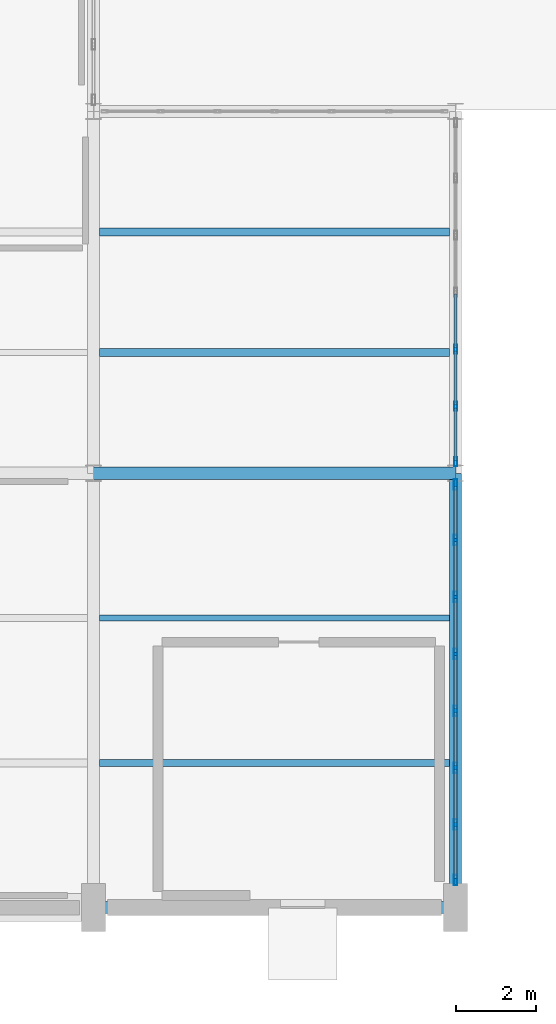
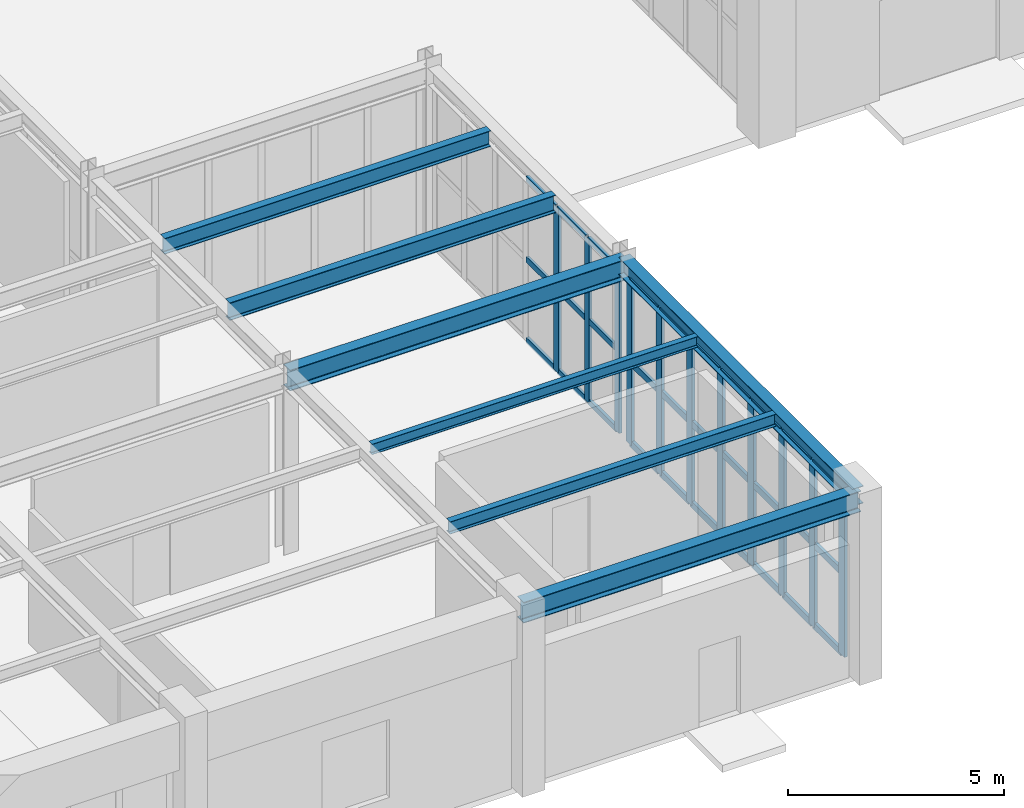
# One storey, part 33 of 140: 41 members, 7 beams, 2 elements without a shape of their own.
"""IFC4 building model written with IfcOpenShell, lengths in metres."""

from ifc_helpers import new_model, si_unit, direction, frame, origin, origin_2d, place, context, subcontext, project, spatial, hollow_rectangle, i_section, extrude, material, material_profile, profile_set, type_object, element, aggregate, save


model = new_model("IFC4")

# Units and contexts
model_context = context("Model", 3, precision=1e-05, world=origin(), true_north=direction((0.0, 1.0)))
body_context = subcontext(model_context, "Body", "Model", "MODEL_VIEW")
ifc_project = project(units=[si_unit("LENGTHUNIT", "METRE"), si_unit("AREAUNIT", "SQUARE_METRE"), si_unit("VOLUMEUNIT", "CUBIC_METRE"), si_unit("PLANEANGLEUNIT", "RADIAN"), si_unit("MASSUNIT", "GRAM", prefix="KILO")], contexts=[model_context])

# Site, building, storey
site_placement = place(None, origin())
site = spatial("IfcSite", under=ifc_project, at=site_placement, CompositionType="ELEMENT")
building_placement = place(site_placement, origin())
building = spatial("IfcBuilding", under=site, at=building_placement, Name="Haizhuo Lancet Aquarium", CompositionType="ELEMENT")
storey_placement = place(building_placement, origin())
storey = spatial("IfcBuildingStorey", under=building, at=storey_placement, Name="L00", CompositionType="ELEMENT", Elevation=0.0)

# Beams
ifc_material_1 = material(Name="Steel S355", Category="steel")
ifc_material_profile_1 = material_profile(ifc_material_1, i_section(OverallWidth=0.300048828125, OverallDepth=0.488037109375, WebThickness=0.010986328125, FlangeThickness=0.01806640625, FilletRadius=0.02392578125, at=origin_2d()), Name="HM 488x300x11x18")
ifc_profile_set_1 = profile_set([ifc_material_profile_1], Name="Steel S355")
beam_type_1 = type_object("IfcBeamType", Name="BM-ST-HM488", PredefinedType="BEAM", material=ifc_profile_set_1)
beam_1_placement = place(storey_placement, frame((18.0, -55.800048828125, 4.8759765625), z_axis=(0.0, 1.0, 0.0), x_axis=(-1.0, 0.0, 0.0)))
element("IfcBeam", 1, at=beam_1_placement, inside=storey, type_object=beam_type_1, Name="L00 V4 primary girder BM-L00-V4-024", PredefinedType="BEAM", context=body_context, shape_type="SweptSolid", body=[
    extrude(i_section(OverallWidth=0.300048828125, OverallDepth=0.488037109375, WebThickness=0.010986328125, FlangeThickness=0.01806640625, FilletRadius=0.02392578125, at=origin_2d()), origin(), (0.0, 0.0, 1.0), 10.800048828125),
])
ifc_material_profile_2 = material_profile(ifc_material_1, i_section(OverallWidth=0.300048828125, OverallDepth=0.587890625, WebThickness=0.011962890625, FlangeThickness=0.02001953125, FilletRadius=0.02587890625, at=origin_2d()), Name="HM 588x300x12x20")
ifc_profile_set_2 = profile_set([ifc_material_profile_2], Name="Steel S355")
beam_type_2 = type_object("IfcBeamType", Name="BM-ST-HM588", PredefinedType="BEAM", material=ifc_profile_set_2)
for number, where, z_axis, x_axis, name in (
    (2, (9.0, -55.800048828125, 4.825927734375), (1.0, 0.0, 0.0), (0.0, 1.0, 0.0), "L00 V4 primary girder BM-L00-V4-019"),
    (3, (9.0, -45.0, 4.825927734375), (1.0, 0.0, 0.0), (0.0, 1.0, 0.0), "L00 V4 primary girder BM-L00-V4-021"),
):
    element("IfcBeam", number, at=place(storey_placement, frame(where, z_axis=z_axis, x_axis=x_axis)), inside=storey, type_object=beam_type_2, Name=name, PredefinedType="BEAM", context=body_context, shape_type="SweptSolid", body=[
        extrude(i_section(OverallWidth=0.300048828125, OverallDepth=0.587890625, WebThickness=0.011962890625, FlangeThickness=0.02001953125, FilletRadius=0.02587890625, at=origin_2d()), origin(), (0.0, 0.0, 1.0), 9.0),
    ])

# Curtain wall, members
ifc_material_2 = material(Name="Aluminium 6063-T6", Category="aluminium")
curtain_wall_type_1 = type_object("IfcCurtainWallType", Name="CWO-8510x4630", PredefinedType="NOTDEFINED", material=ifc_material_2)
curtain_wall_1_placement = place(storey_placement, origin())
curtain_wall_1 = element("IfcCurtainWall", 4, at=curtain_wall_1_placement, inside=storey, type_object=curtain_wall_type_1, Name="L00 curtain wall CW-V4-L00-086", PredefinedType="NOTDEFINED")
ifc_material_profile_3 = material_profile(ifc_material_2, hollow_rectangle(XDim=0.074951171875, YDim=0.219970703125, WallThickness=0.0048828125, at=origin_2d()), Name="ALU-M 75x220x5")
ifc_profile_set_3 = profile_set([ifc_material_profile_3], Name="Aluminium 6063-T6")
member_type_1 = type_object("IfcMemberType", Name="CW-MUL-2", PredefinedType="MULLION", material=ifc_profile_set_3)
member_1_placement = place(storey_placement, frame((18.0, -41.91796875, 0.0), z_axis=(0.0, 0.0, 1.0), x_axis=(1.0, 0.0, 0.0)))
member_1 = element("IfcMember", 5, at=member_1_placement, type_object=member_type_1, Name="CWO-85x46 mullion 5", PredefinedType="MULLION", context=body_context, shape_type="SweptSolid", body=[
    extrude(hollow_rectangle(XDim=0.074951171875, YDim=0.219970703125, WallThickness=0.0048828125, at=origin_2d()), origin(), (0.0, 0.0, 1.0), 4.632080078125),
])
member_2_placement = place(storey_placement, frame((18.0, -43.3369140625, 0.0), z_axis=(0.0, 0.0, 1.0), x_axis=(1.0, 0.0, 0.0)))
member_2 = element("IfcMember", 6, at=member_2_placement, type_object=member_type_1, Name="CWO-85x46 mullion 6", PredefinedType="MULLION", context=body_context, shape_type="SweptSolid", body=[
    extrude(hollow_rectangle(XDim=0.074951171875, YDim=0.219970703125, WallThickness=0.0048828125, at=origin_2d()), origin(), (0.0, 0.0, 1.0), 4.632080078125),
])
member_3_placement = place(storey_placement, frame((18.0, -44.718017578125, 0.0), z_axis=(0.0, 0.0, 1.0), x_axis=(1.0, 0.0, 0.0)))
member_3 = element("IfcMember", 7, at=member_3_placement, type_object=member_type_1, Name="CWO-85x46 mullion 7", PredefinedType="MULLION", context=body_context, shape_type="SweptSolid", body=[
    extrude(hollow_rectangle(XDim=0.074951171875, YDim=0.219970703125, WallThickness=0.0048828125, at=origin_2d()), origin(), (0.0, 0.0, 1.0), 4.632080078125),
])

curtain_wall_type_2 = type_object("IfcCurtainWallType", Name="CWO-9910x4630", PredefinedType="NOTDEFINED", material=ifc_material_2)
curtain_wall_2_placement = place(storey_placement, origin())
curtain_wall_2 = element("IfcCurtainWall", 8, at=curtain_wall_2_placement, inside=storey, type_object=curtain_wall_type_2, Name="L00 curtain wall CW-V4-L00-087", PredefinedType="NOTDEFINED")
ifc_material_profile_4 = material_profile(ifc_material_2, hollow_rectangle(XDim=0.080078125, YDim=0.260009765625, WallThickness=0.0048828125, at=origin_2d()), Name="ALU-M 80x260x5")
ifc_profile_set_4 = profile_set([ifc_material_profile_4], Name="Aluminium 6063-T6")
member_type_2 = type_object("IfcMemberType", Name="CW-MUL-3", PredefinedType="MULLION", material=ifc_profile_set_4)
member_4_placement = place(storey_placement, frame((18.0, -45.284912109375, 0.0), z_axis=(0.0, 0.0, 1.0), x_axis=(1.0, 0.0, 0.0)))
member_4 = element("IfcMember", 9, at=member_4_placement, type_object=member_type_2, Name="CWO-99x46 mullion 1", PredefinedType="MULLION", context=body_context, shape_type="SweptSolid", body=[
    extrude(hollow_rectangle(XDim=0.080078125, YDim=0.260009765625, WallThickness=0.0048828125, at=origin_2d()), origin(), (0.0, 0.0, 1.0), 4.632080078125),
])
member_5_placement = place(storey_placement, frame((18.0, -46.660888671875, 0.0), z_axis=(0.0, 0.0, 1.0), x_axis=(1.0, 0.0, 0.0)))
member_5 = element("IfcMember", 10, at=member_5_placement, type_object=member_type_2, Name="CWO-99x46 mullion 2", PredefinedType="MULLION", context=body_context, shape_type="SweptSolid", body=[
    extrude(hollow_rectangle(XDim=0.080078125, YDim=0.260009765625, WallThickness=0.0048828125, at=origin_2d()), origin(), (0.0, 0.0, 1.0), 4.632080078125),
])
member_6_placement = place(storey_placement, frame((18.0, -48.075927734375, 0.0), z_axis=(0.0, 0.0, 1.0), x_axis=(1.0, 0.0, 0.0)))
member_6 = element("IfcMember", 11, at=member_6_placement, type_object=member_type_2, Name="CWO-99x46 mullion 3", PredefinedType="MULLION", context=body_context, shape_type="SweptSolid", body=[
    extrude(hollow_rectangle(XDim=0.080078125, YDim=0.260009765625, WallThickness=0.0048828125, at=origin_2d()), origin(), (0.0, 0.0, 1.0), 4.632080078125),
])
member_7_placement = place(storey_placement, frame((18.0, -49.491943359375, 0.0), z_axis=(0.0, 0.0, 1.0), x_axis=(1.0, 0.0, 0.0)))
member_7 = element("IfcMember", 12, at=member_7_placement, type_object=member_type_2, Name="CWO-99x46 mullion 4", PredefinedType="MULLION", context=body_context, shape_type="SweptSolid", body=[
    extrude(hollow_rectangle(XDim=0.080078125, YDim=0.260009765625, WallThickness=0.0048828125, at=origin_2d()), origin(), (0.0, 0.0, 1.0), 4.632080078125),
])
member_8_placement = place(storey_placement, frame((18.0, -50.907958984375, 0.0), z_axis=(0.0, 0.0, 1.0), x_axis=(1.0, 0.0, 0.0)))
member_8 = element("IfcMember", 13, at=member_8_placement, type_object=member_type_2, Name="CWO-99x46 mullion 5", PredefinedType="MULLION", context=body_context, shape_type="SweptSolid", body=[
    extrude(hollow_rectangle(XDim=0.080078125, YDim=0.260009765625, WallThickness=0.0048828125, at=origin_2d()), origin(), (0.0, 0.0, 1.0), 4.632080078125),
])
member_9_placement = place(storey_placement, frame((18.0, -52.323974609375, 0.0), z_axis=(0.0, 0.0, 1.0), x_axis=(1.0, 0.0, 0.0)))
member_9 = element("IfcMember", 14, at=member_9_placement, type_object=member_type_2, Name="CWO-99x46 mullion 6", PredefinedType="MULLION", context=body_context, shape_type="SweptSolid", body=[
    extrude(hollow_rectangle(XDim=0.080078125, YDim=0.260009765625, WallThickness=0.0048828125, at=origin_2d()), origin(), (0.0, 0.0, 1.0), 4.632080078125),
])
member_10_placement = place(storey_placement, frame((18.0, -53.739013671875, 0.0), z_axis=(0.0, 0.0, 1.0), x_axis=(1.0, 0.0, 0.0)))
member_10 = element("IfcMember", 15, at=member_10_placement, type_object=member_type_2, Name="CWO-99x46 mullion 7", PredefinedType="MULLION", context=body_context, shape_type="SweptSolid", body=[
    extrude(hollow_rectangle(XDim=0.080078125, YDim=0.260009765625, WallThickness=0.0048828125, at=origin_2d()), origin(), (0.0, 0.0, 1.0), 4.632080078125),
])
member_11_placement = place(storey_placement, frame((18.0, -55.114990234375, 0.0), z_axis=(0.0, 0.0, 1.0), x_axis=(1.0, 0.0, 0.0)))
member_11 = element("IfcMember", 16, at=member_11_placement, type_object=member_type_2, Name="CWO-99x46 mullion 8", PredefinedType="MULLION", context=body_context, shape_type="SweptSolid", body=[
    extrude(hollow_rectangle(XDim=0.080078125, YDim=0.260009765625, WallThickness=0.0048828125, at=origin_2d()), origin(), (0.0, 0.0, 1.0), 4.632080078125),
])

# Member
ifc_material_profile_5 = material_profile(ifc_material_2, hollow_rectangle(XDim=0.074951171875, YDim=0.159912109375, WallThickness=0.00390625, at=origin_2d()), Name="ALU-T 75x160x4")
ifc_profile_set_5 = profile_set([ifc_material_profile_5], Name="Aluminium 6063-T6")
member_type_3 = type_object("IfcMemberType", Name="CW-TRN-2", PredefinedType="NOTDEFINED", material=ifc_profile_set_5)
member_12_placement = place(storey_placement, frame((18.0, -40.5380859375, 0.037109375), z_axis=(0.0, -1.0, 0.0), x_axis=(1.0, 0.0, 0.0)))
member_12 = element("IfcMember", 17, at=member_12_placement, type_object=member_type_3, Name="CWO-85x46 transom 4.1", ObjectType="TRANSOM", PredefinedType="USERDEFINED", context=body_context, shape_type="SweptSolid", body=[
    extrude(hollow_rectangle(XDim=0.074951171875, YDim=0.159912109375, WallThickness=0.00390625, at=origin_2d()), origin(), (0.0, 0.0, 1.0), 1.343017578125),
])

member_13_placement = place(storey_placement, frame((18.0, -40.5380859375, 2.31591796875), z_axis=(0.0, -1.0, 0.0), x_axis=(1.0, 0.0, 0.0)))
member_13 = element("IfcMember", 18, at=member_13_placement, type_object=member_type_3, Name="CWO-85x46 transom 4.2", ObjectType="TRANSOM", PredefinedType="USERDEFINED", context=body_context, shape_type="SweptSolid", body=[
    extrude(hollow_rectangle(XDim=0.074951171875, YDim=0.159912109375, WallThickness=0.00390625, at=origin_2d()), origin(), (0.0, 0.0, 1.0), 1.343017578125),
])

member_14_placement = place(storey_placement, frame((18.0, -40.5380859375, 4.594970703125), z_axis=(0.0, -1.0, 0.0), x_axis=(1.0, 0.0, 0.0)))
member_14 = element("IfcMember", 19, at=member_14_placement, type_object=member_type_3, Name="CWO-85x46 transom 4.3", ObjectType="TRANSOM", PredefinedType="USERDEFINED", context=body_context, shape_type="SweptSolid", body=[
    extrude(hollow_rectangle(XDim=0.074951171875, YDim=0.159912109375, WallThickness=0.00390625, at=origin_2d()), origin(), (0.0, 0.0, 1.0), 1.343017578125),
])

member_15_placement = place(storey_placement, frame((18.0, -41.9560546875, 0.037109375), z_axis=(0.0, -1.0, 0.0), x_axis=(1.0, 0.0, 0.0)))
member_15 = element("IfcMember", 20, at=member_15_placement, type_object=member_type_3, Name="CWO-85x46 transom 5.1", ObjectType="TRANSOM", PredefinedType="USERDEFINED", context=body_context, shape_type="SweptSolid", body=[
    extrude(hollow_rectangle(XDim=0.074951171875, YDim=0.159912109375, WallThickness=0.00390625, at=origin_2d()), origin(), (0.0, 0.0, 1.0), 1.343017578125),
])

member_16_placement = place(storey_placement, frame((18.0, -41.9560546875, 2.31591796875), z_axis=(0.0, -1.0, 0.0), x_axis=(1.0, 0.0, 0.0)))
member_16 = element("IfcMember", 21, at=member_16_placement, type_object=member_type_3, Name="CWO-85x46 transom 5.2", ObjectType="TRANSOM", PredefinedType="USERDEFINED", context=body_context, shape_type="SweptSolid", body=[
    extrude(hollow_rectangle(XDim=0.074951171875, YDim=0.159912109375, WallThickness=0.00390625, at=origin_2d()), origin(), (0.0, 0.0, 1.0), 1.343017578125),
])

member_17_placement = place(storey_placement, frame((18.0, -41.9560546875, 4.594970703125), z_axis=(0.0, -1.0, 0.0), x_axis=(1.0, 0.0, 0.0)))
member_17 = element("IfcMember", 22, at=member_17_placement, type_object=member_type_3, Name="CWO-85x46 transom 5.3", ObjectType="TRANSOM", PredefinedType="USERDEFINED", context=body_context, shape_type="SweptSolid", body=[
    extrude(hollow_rectangle(XDim=0.074951171875, YDim=0.159912109375, WallThickness=0.00390625, at=origin_2d()), origin(), (0.0, 0.0, 1.0), 1.343017578125),
])

member_18_placement = place(storey_placement, frame((18.0, -43.3740234375, 0.037109375), z_axis=(0.0, -1.0, 0.0), x_axis=(1.0, 0.0, 0.0)))
member_18 = element("IfcMember", 23, at=member_18_placement, type_object=member_type_3, Name="CWO-85x46 transom 6.1", ObjectType="TRANSOM", PredefinedType="USERDEFINED", context=body_context, shape_type="SweptSolid", body=[
    extrude(hollow_rectangle(XDim=0.074951171875, YDim=0.159912109375, WallThickness=0.00390625, at=origin_2d()), origin(), (0.0, 0.0, 1.0), 1.305908203125),
])

member_19_placement = place(storey_placement, frame((18.0, -43.3740234375, 2.31591796875), z_axis=(0.0, -1.0, 0.0), x_axis=(1.0, 0.0, 0.0)))
member_19 = element("IfcMember", 24, at=member_19_placement, type_object=member_type_3, Name="CWO-85x46 transom 6.2", ObjectType="TRANSOM", PredefinedType="USERDEFINED", context=body_context, shape_type="SweptSolid", body=[
    extrude(hollow_rectangle(XDim=0.074951171875, YDim=0.159912109375, WallThickness=0.00390625, at=origin_2d()), origin(), (0.0, 0.0, 1.0), 1.305908203125),
])

member_20_placement = place(storey_placement, frame((18.0, -43.3740234375, 4.594970703125), z_axis=(0.0, -1.0, 0.0), x_axis=(1.0, 0.0, 0.0)))
member_20 = element("IfcMember", 25, at=member_20_placement, type_object=member_type_3, Name="CWO-85x46 transom 6.3", ObjectType="TRANSOM", PredefinedType="USERDEFINED", context=body_context, shape_type="SweptSolid", body=[
    extrude(hollow_rectangle(XDim=0.074951171875, YDim=0.159912109375, WallThickness=0.00390625, at=origin_2d()), origin(), (0.0, 0.0, 1.0), 1.305908203125),
])

aggregate(curtain_wall_1, [member_1, member_2, member_3, member_12, member_13, member_14, member_15, member_16, member_17, member_18, member_19, member_20])

ifc_material_profile_6 = material_profile(ifc_material_2, hollow_rectangle(XDim=0.080078125, YDim=0.18994140625, WallThickness=0.0048828125, at=origin_2d()), Name="ALU-T 80x190x5")
ifc_profile_set_6 = profile_set([ifc_material_profile_6], Name="Aluminium 6063-T6")
member_type_4 = type_object("IfcMemberType", Name="CW-TRN-3", PredefinedType="NOTDEFINED", material=ifc_profile_set_6)
member_21_placement = place(storey_placement, frame((18.0, -45.324951171875, 0.0400390625), z_axis=(0.0, -1.0, 0.0), x_axis=(1.0, 0.0, 0.0)))
member_21 = element("IfcMember", 26, at=member_21_placement, type_object=member_type_4, Name="CWO-99x46 transom 1.1", ObjectType="TRANSOM", PredefinedType="USERDEFINED", context=body_context, shape_type="SweptSolid", body=[
    extrude(hollow_rectangle(XDim=0.080078125, YDim=0.18994140625, WallThickness=0.0048828125, at=origin_2d()), origin(), (0.0, 0.0, 1.0), 1.296142578125),
])

member_22_placement = place(storey_placement, frame((18.0, -45.324951171875, 2.31591796875), z_axis=(0.0, -1.0, 0.0), x_axis=(1.0, 0.0, 0.0)))
member_22 = element("IfcMember", 27, at=member_22_placement, type_object=member_type_4, Name="CWO-99x46 transom 1.2", ObjectType="TRANSOM", PredefinedType="USERDEFINED", context=body_context, shape_type="SweptSolid", body=[
    extrude(hollow_rectangle(XDim=0.080078125, YDim=0.18994140625, WallThickness=0.0048828125, at=origin_2d()), origin(), (0.0, 0.0, 1.0), 1.296142578125),
])

member_23_placement = place(storey_placement, frame((18.0, -45.324951171875, 4.592041015625), z_axis=(0.0, -1.0, 0.0), x_axis=(1.0, 0.0, 0.0)))
member_23 = element("IfcMember", 28, at=member_23_placement, type_object=member_type_4, Name="CWO-99x46 transom 1.3", ObjectType="TRANSOM", PredefinedType="USERDEFINED", context=body_context, shape_type="SweptSolid", body=[
    extrude(hollow_rectangle(XDim=0.080078125, YDim=0.18994140625, WallThickness=0.0048828125, at=origin_2d()), origin(), (0.0, 0.0, 1.0), 1.296142578125),
])

member_24_placement = place(storey_placement, frame((18.0, -46.700927734375, 0.0400390625), z_axis=(0.0, -1.0, 0.0), x_axis=(1.0, 0.0, 0.0)))
member_24 = element("IfcMember", 29, at=member_24_placement, type_object=member_type_4, Name="CWO-99x46 transom 2.1", ObjectType="TRANSOM", PredefinedType="USERDEFINED", context=body_context, shape_type="SweptSolid", body=[
    extrude(hollow_rectangle(XDim=0.080078125, YDim=0.18994140625, WallThickness=0.0048828125, at=origin_2d()), origin(), (0.0, 0.0, 1.0), 1.3349609375),
])

member_25_placement = place(storey_placement, frame((18.0, -46.700927734375, 2.31591796875), z_axis=(0.0, -1.0, 0.0), x_axis=(1.0, 0.0, 0.0)))
member_25 = element("IfcMember", 30, at=member_25_placement, type_object=member_type_4, Name="CWO-99x46 transom 2.2", ObjectType="TRANSOM", PredefinedType="USERDEFINED", context=body_context, shape_type="SweptSolid", body=[
    extrude(hollow_rectangle(XDim=0.080078125, YDim=0.18994140625, WallThickness=0.0048828125, at=origin_2d()), origin(), (0.0, 0.0, 1.0), 1.3349609375),
])

member_26_placement = place(storey_placement, frame((18.0, -46.700927734375, 4.592041015625), z_axis=(0.0, -1.0, 0.0), x_axis=(1.0, 0.0, 0.0)))
member_26 = element("IfcMember", 31, at=member_26_placement, type_object=member_type_4, Name="CWO-99x46 transom 2.3", ObjectType="TRANSOM", PredefinedType="USERDEFINED", context=body_context, shape_type="SweptSolid", body=[
    extrude(hollow_rectangle(XDim=0.080078125, YDim=0.18994140625, WallThickness=0.0048828125, at=origin_2d()), origin(), (0.0, 0.0, 1.0), 1.3349609375),
])

member_27_placement = place(storey_placement, frame((18.0, -48.115966796875, 0.0400390625), z_axis=(0.0, -1.0, 0.0), x_axis=(1.0, 0.0, 0.0)))
member_27 = element("IfcMember", 32, at=member_27_placement, type_object=member_type_4, Name="CWO-99x46 transom 3.1", ObjectType="TRANSOM", PredefinedType="USERDEFINED", context=body_context, shape_type="SweptSolid", body=[
    extrude(hollow_rectangle(XDim=0.080078125, YDim=0.18994140625, WallThickness=0.0048828125, at=origin_2d()), origin(), (0.0, 0.0, 1.0), 1.3359375),
])

member_28_placement = place(storey_placement, frame((18.0, -48.115966796875, 2.31591796875), z_axis=(0.0, -1.0, 0.0), x_axis=(1.0, 0.0, 0.0)))
member_28 = element("IfcMember", 33, at=member_28_placement, type_object=member_type_4, Name="CWO-99x46 transom 3.2", ObjectType="TRANSOM", PredefinedType="USERDEFINED", context=body_context, shape_type="SweptSolid", body=[
    extrude(hollow_rectangle(XDim=0.080078125, YDim=0.18994140625, WallThickness=0.0048828125, at=origin_2d()), origin(), (0.0, 0.0, 1.0), 1.3359375),
])

member_29_placement = place(storey_placement, frame((18.0, -48.115966796875, 4.592041015625), z_axis=(0.0, -1.0, 0.0), x_axis=(1.0, 0.0, 0.0)))
member_29 = element("IfcMember", 34, at=member_29_placement, type_object=member_type_4, Name="CWO-99x46 transom 3.3", ObjectType="TRANSOM", PredefinedType="USERDEFINED", context=body_context, shape_type="SweptSolid", body=[
    extrude(hollow_rectangle(XDim=0.080078125, YDim=0.18994140625, WallThickness=0.0048828125, at=origin_2d()), origin(), (0.0, 0.0, 1.0), 1.3359375),
])

member_30_placement = place(storey_placement, frame((18.0, -49.531982421875, 0.0400390625), z_axis=(0.0, -1.0, 0.0), x_axis=(1.0, 0.0, 0.0)))
member_30 = element("IfcMember", 35, at=member_30_placement, type_object=member_type_4, Name="CWO-99x46 transom 4.1", ObjectType="TRANSOM", PredefinedType="USERDEFINED", context=body_context, shape_type="SweptSolid", body=[
    extrude(hollow_rectangle(XDim=0.080078125, YDim=0.18994140625, WallThickness=0.0048828125, at=origin_2d()), origin(), (0.0, 0.0, 1.0), 1.3359375),
])

member_31_placement = place(storey_placement, frame((18.0, -49.531982421875, 2.31591796875), z_axis=(0.0, -1.0, 0.0), x_axis=(1.0, 0.0, 0.0)))
member_31 = element("IfcMember", 36, at=member_31_placement, type_object=member_type_4, Name="CWO-99x46 transom 4.2", ObjectType="TRANSOM", PredefinedType="USERDEFINED", context=body_context, shape_type="SweptSolid", body=[
    extrude(hollow_rectangle(XDim=0.080078125, YDim=0.18994140625, WallThickness=0.0048828125, at=origin_2d()), origin(), (0.0, 0.0, 1.0), 1.3359375),
])

member_32_placement = place(storey_placement, frame((18.0, -49.531982421875, 4.592041015625), z_axis=(0.0, -1.0, 0.0), x_axis=(1.0, 0.0, 0.0)))
member_32 = element("IfcMember", 37, at=member_32_placement, type_object=member_type_4, Name="CWO-99x46 transom 4.3", ObjectType="TRANSOM", PredefinedType="USERDEFINED", context=body_context, shape_type="SweptSolid", body=[
    extrude(hollow_rectangle(XDim=0.080078125, YDim=0.18994140625, WallThickness=0.0048828125, at=origin_2d()), origin(), (0.0, 0.0, 1.0), 1.3359375),
])

member_33_placement = place(storey_placement, frame((18.0, -50.947998046875, 0.0400390625), z_axis=(0.0, -1.0, 0.0), x_axis=(1.0, 0.0, 0.0)))
member_33 = element("IfcMember", 38, at=member_33_placement, type_object=member_type_4, Name="CWO-99x46 transom 5.1", ObjectType="TRANSOM", PredefinedType="USERDEFINED", context=body_context, shape_type="SweptSolid", body=[
    extrude(hollow_rectangle(XDim=0.080078125, YDim=0.18994140625, WallThickness=0.0048828125, at=origin_2d()), origin(), (0.0, 0.0, 1.0), 1.3359375),
])

member_34_placement = place(storey_placement, frame((18.0, -50.947998046875, 2.31591796875), z_axis=(0.0, -1.0, 0.0), x_axis=(1.0, 0.0, 0.0)))
member_34 = element("IfcMember", 39, at=member_34_placement, type_object=member_type_4, Name="CWO-99x46 transom 5.2", ObjectType="TRANSOM", PredefinedType="USERDEFINED", context=body_context, shape_type="SweptSolid", body=[
    extrude(hollow_rectangle(XDim=0.080078125, YDim=0.18994140625, WallThickness=0.0048828125, at=origin_2d()), origin(), (0.0, 0.0, 1.0), 1.3359375),
])

member_35_placement = place(storey_placement, frame((18.0, -50.947998046875, 4.592041015625), z_axis=(0.0, -1.0, 0.0), x_axis=(1.0, 0.0, 0.0)))
member_35 = element("IfcMember", 40, at=member_35_placement, type_object=member_type_4, Name="CWO-99x46 transom 5.3", ObjectType="TRANSOM", PredefinedType="USERDEFINED", context=body_context, shape_type="SweptSolid", body=[
    extrude(hollow_rectangle(XDim=0.080078125, YDim=0.18994140625, WallThickness=0.0048828125, at=origin_2d()), origin(), (0.0, 0.0, 1.0), 1.3359375),
])

member_36_placement = place(storey_placement, frame((18.0, -52.364013671875, 0.0400390625), z_axis=(0.0, -1.0, 0.0), x_axis=(1.0, 0.0, 0.0)))
member_36 = element("IfcMember", 41, at=member_36_placement, type_object=member_type_4, Name="CWO-99x46 transom 6.1", ObjectType="TRANSOM", PredefinedType="USERDEFINED", context=body_context, shape_type="SweptSolid", body=[
    extrude(hollow_rectangle(XDim=0.080078125, YDim=0.18994140625, WallThickness=0.0048828125, at=origin_2d()), origin(), (0.0, 0.0, 1.0), 1.3349609375),
])

member_37_placement = place(storey_placement, frame((18.0, -52.364013671875, 2.31591796875), z_axis=(0.0, -1.0, 0.0), x_axis=(1.0, 0.0, 0.0)))
member_37 = element("IfcMember", 42, at=member_37_placement, type_object=member_type_4, Name="CWO-99x46 transom 6.2", ObjectType="TRANSOM", PredefinedType="USERDEFINED", context=body_context, shape_type="SweptSolid", body=[
    extrude(hollow_rectangle(XDim=0.080078125, YDim=0.18994140625, WallThickness=0.0048828125, at=origin_2d()), origin(), (0.0, 0.0, 1.0), 1.3349609375),
])

member_38_placement = place(storey_placement, frame((18.0, -52.364013671875, 4.592041015625), z_axis=(0.0, -1.0, 0.0), x_axis=(1.0, 0.0, 0.0)))
member_38 = element("IfcMember", 43, at=member_38_placement, type_object=member_type_4, Name="CWO-99x46 transom 6.3", ObjectType="TRANSOM", PredefinedType="USERDEFINED", context=body_context, shape_type="SweptSolid", body=[
    extrude(hollow_rectangle(XDim=0.080078125, YDim=0.18994140625, WallThickness=0.0048828125, at=origin_2d()), origin(), (0.0, 0.0, 1.0), 1.3349609375),
])

member_39_placement = place(storey_placement, frame((18.0, -53.779052734375, 0.0400390625), z_axis=(0.0, -1.0, 0.0), x_axis=(1.0, 0.0, 0.0)))
member_39 = element("IfcMember", 44, at=member_39_placement, type_object=member_type_4, Name="CWO-99x46 transom 7.1", ObjectType="TRANSOM", PredefinedType="USERDEFINED", context=body_context, shape_type="SweptSolid", body=[
    extrude(hollow_rectangle(XDim=0.080078125, YDim=0.18994140625, WallThickness=0.0048828125, at=origin_2d()), origin(), (0.0, 0.0, 1.0), 1.2958984375),
])

member_40_placement = place(storey_placement, frame((18.0, -53.779052734375, 2.31591796875), z_axis=(0.0, -1.0, 0.0), x_axis=(1.0, 0.0, 0.0)))
member_40 = element("IfcMember", 45, at=member_40_placement, type_object=member_type_4, Name="CWO-99x46 transom 7.2", ObjectType="TRANSOM", PredefinedType="USERDEFINED", context=body_context, shape_type="SweptSolid", body=[
    extrude(hollow_rectangle(XDim=0.080078125, YDim=0.18994140625, WallThickness=0.0048828125, at=origin_2d()), origin(), (0.0, 0.0, 1.0), 1.2958984375),
])

member_41_placement = place(storey_placement, frame((18.0, -53.779052734375, 4.592041015625), z_axis=(0.0, -1.0, 0.0), x_axis=(1.0, 0.0, 0.0)))
member_41 = element("IfcMember", 46, at=member_41_placement, type_object=member_type_4, Name="CWO-99x46 transom 7.3", ObjectType="TRANSOM", PredefinedType="USERDEFINED", context=body_context, shape_type="SweptSolid", body=[
    extrude(hollow_rectangle(XDim=0.080078125, YDim=0.18994140625, WallThickness=0.0048828125, at=origin_2d()), origin(), (0.0, 0.0, 1.0), 1.2958984375),
])

aggregate(curtain_wall_2, [member_4, member_5, member_6, member_7, member_8, member_9, member_10, member_11, member_21, member_22, member_23, member_24, member_25, member_26, member_27, member_28, member_29, member_30, member_31, member_32, member_33, member_34, member_35, member_36, member_37, member_38, member_39, member_40, member_41])

# Beams
ifc_material_profile_7 = material_profile(ifc_material_1, i_section(OverallWidth=0.14990234375, OverallDepth=0.300048828125, WebThickness=0.006591796875, FlangeThickness=0.009033203125, FilletRadius=0.012939453125, at=origin_2d()), Name="HN 300x150x6.5x9")
ifc_profile_set_7 = profile_set([ifc_material_profile_7], Name="Steel S355")
beam_type_3 = type_object("IfcBeamType", Name="JST-ST-HN300", PredefinedType="JOIST", material=ifc_profile_set_7)
beam_2_placement = place(storey_placement, frame((9.14990234375, -48.60009765625, 4.969970703125), z_axis=(1.0, 0.0, 0.0), x_axis=(0.0, 1.0, 0.0)))
element("IfcBeam", 47, at=beam_2_placement, inside=storey, type_object=beam_type_3, Name="L00 V4 secondary floor joist 18", PredefinedType="JOIST", context=body_context, shape_type="SweptSolid", body=[
    extrude(i_section(OverallWidth=0.14990234375, OverallDepth=0.300048828125, WebThickness=0.006591796875, FlangeThickness=0.009033203125, FilletRadius=0.012939453125, at=origin_2d()), origin(), (0.0, 0.0, 1.0), 8.7001953125),
])
ifc_material_profile_8 = material_profile(ifc_material_1, i_section(OverallWidth=0.175048828125, OverallDepth=0.35009765625, WebThickness=0.007080078125, FlangeThickness=0.010986328125, FilletRadius=0.013916015625, at=origin_2d()), Name="HN 350x175x7x11")
ifc_profile_set_8 = profile_set([ifc_material_profile_8], Name="Steel S355")
beam_type_4 = type_object("IfcBeamType", Name="JST-ST-HN350", PredefinedType="JOIST", material=ifc_profile_set_8)
beam_3_placement = place(storey_placement, frame((9.14990234375, -52.199951171875, 4.945068359375), z_axis=(1.0, 0.0, 0.0), x_axis=(0.0, 1.0, 0.0)))
element("IfcBeam", 48, at=beam_3_placement, inside=storey, type_object=beam_type_4, Name="L00 V4 secondary floor joist 17", PredefinedType="JOIST", context=body_context, shape_type="SweptSolid", body=[
    extrude(i_section(OverallWidth=0.175048828125, OverallDepth=0.35009765625, WebThickness=0.007080078125, FlangeThickness=0.010986328125, FilletRadius=0.013916015625, at=origin_2d()), origin(), (0.0, 0.0, 1.0), 8.7001953125),
])
ifc_material_profile_9 = material_profile(ifc_material_1, i_section(OverallWidth=0.199951171875, OverallDepth=0.449951171875, WebThickness=0.009033203125, FlangeThickness=0.013916015625, FilletRadius=0.01806640625, at=origin_2d()), Name="HN 450x200x9x14")
ifc_profile_set_9 = profile_set([ifc_material_profile_9], Name="Steel S355")
beam_type_5 = type_object("IfcBeamType", Name="JST-ST-HN450", PredefinedType="JOIST", material=ifc_profile_set_9)
beam_4_placement = place(storey_placement, frame((9.14990234375, -39.0, 4.89501953125), z_axis=(1.0, 0.0, 0.0), x_axis=(0.0, 1.0, 0.0)))
element("IfcBeam", 49, at=beam_4_placement, inside=storey, type_object=beam_type_5, Name="L00 V4 secondary floor joist 20", PredefinedType="JOIST", context=body_context, shape_type="SweptSolid", body=[
    extrude(i_section(OverallWidth=0.199951171875, OverallDepth=0.449951171875, WebThickness=0.009033203125, FlangeThickness=0.013916015625, FilletRadius=0.01806640625, at=origin_2d()), origin(), (0.0, 0.0, 1.0), 8.7001953125),
])
ifc_material_profile_10 = material_profile(ifc_material_1, i_section(OverallWidth=0.199951171875, OverallDepth=0.5, WebThickness=0.010009765625, FlangeThickness=0.01611328125, FilletRadius=0.02001953125, at=origin_2d()), Name="HN 500x200x10x16")
ifc_profile_set_10 = profile_set([ifc_material_profile_10], Name="Steel S355")
beam_type_6 = type_object("IfcBeamType", Name="JST-ST-HN500", PredefinedType="JOIST", material=ifc_profile_set_10)
beam_5_placement = place(storey_placement, frame((9.14990234375, -42.0, 4.8701171875), z_axis=(1.0, 0.0, 0.0), x_axis=(0.0, 1.0, 0.0)))
element("IfcBeam", 50, at=beam_5_placement, inside=storey, type_object=beam_type_6, Name="L00 V4 secondary floor joist 19", PredefinedType="JOIST", context=body_context, shape_type="SweptSolid", body=[
    extrude(i_section(OverallWidth=0.199951171875, OverallDepth=0.5, WebThickness=0.010009765625, FlangeThickness=0.01611328125, FilletRadius=0.02001953125, at=origin_2d()), origin(), (0.0, 0.0, 1.0), 8.7001953125),
])

save(model, "model.ifc")
